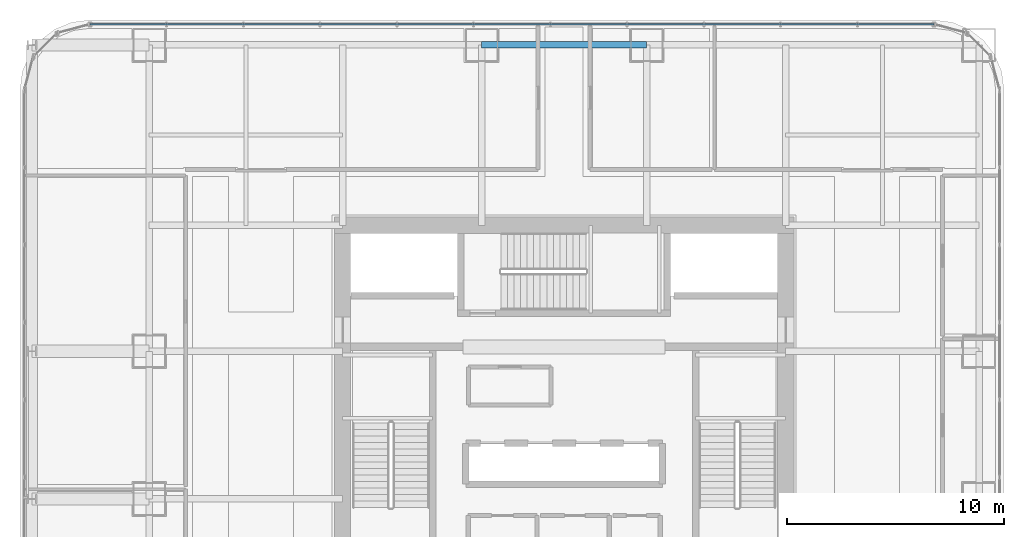
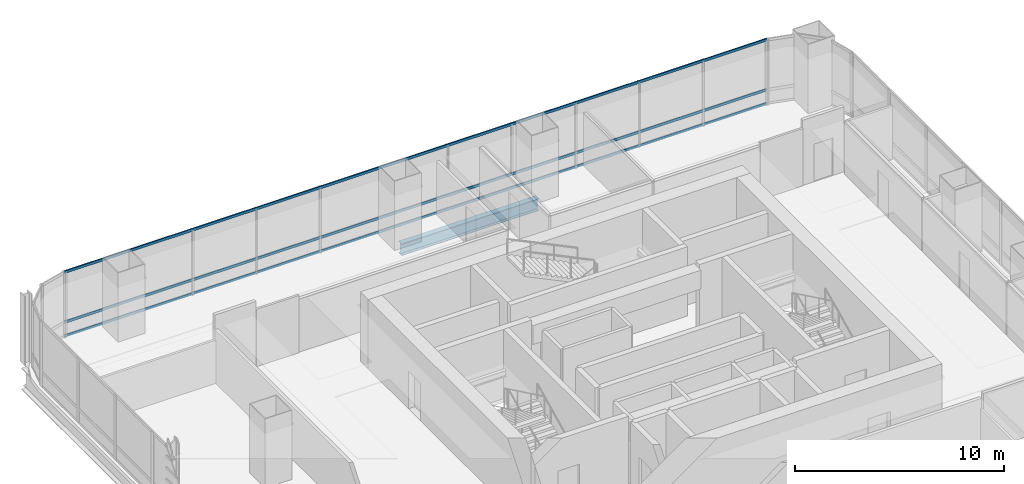
# One storey, part 22 of 36: 3 members, 1 beam, 1 element without a shape of its own.
"""IFC4 building model written with IfcOpenShell, lengths in metres."""

from ifc_helpers import new_model, si_unit, direction, frame, origin, origin_2d, place, context, subcontext, project, spatial, hollow_rectangle, i_section, extrude, material, material_profile, profile_set, type_object, element, aggregate, save


model = new_model("IFC4")

# Units and contexts
model_context = context("Model", 3, precision=1e-05, world=origin(), true_north=direction((0.0, 1.0)))
body_context = subcontext(model_context, "Body", "Model", "MODEL_VIEW")
ifc_project = project(units=[si_unit("LENGTHUNIT", "METRE"), si_unit("AREAUNIT", "SQUARE_METRE"), si_unit("VOLUMEUNIT", "CUBIC_METRE"), si_unit("PLANEANGLEUNIT", "RADIAN"), si_unit("MASSUNIT", "GRAM", prefix="KILO")], contexts=[model_context])

# Site, building, storey
site_placement = place(None, origin())
site = spatial("IfcSite", under=ifc_project, at=site_placement, CompositionType="ELEMENT")
building_placement = place(site_placement, origin())
building = spatial("IfcBuilding", under=site, at=building_placement, Name="Punatoya Terracotta Tower", CompositionType="ELEMENT")
storey_placement = place(building_placement, frame((0.0, 0.0, 36.300048828125)))
storey = spatial("IfcBuildingStorey", under=building, at=storey_placement, Name="L07", CompositionType="ELEMENT", Elevation=36.300048828125)

# Beam
ifc_material_1 = material(Name="Steel S355", Category="steel")
ifc_material_profile_1 = material_profile(ifc_material_1, i_section(OverallWidth=0.300048828125, OverallDepth=0.699951171875, WebThickness=0.01708984375, FlangeThickness=0.031982421875, FilletRadius=0.01806640625, at=origin_2d()))
ifc_profile_set_1 = profile_set([ifc_material_profile_1], Name="Steel S355")
beam_type = type_object("IfcBeamType", Name="BM-PRI-700", PredefinedType="BEAM", material=ifc_profile_set_1)
beam_placement = place(storey_placement, frame((-3.800048828125, 17.5, -0.590087890625), z_axis=(1.0, 0.0, 0.0), x_axis=(0.0, 1.0, 0.0)))
element("IfcBeam", 1, at=beam_placement, inside=storey, type_object=beam_type, Name="BM-L07-RG-N2", PredefinedType="BEAM", context=body_context, shape_type="SweptSolid", body=[
    extrude(i_section(OverallWidth=0.300048828125, OverallDepth=0.699951171875, WebThickness=0.01708984375, FlangeThickness=0.031982421875, FilletRadius=0.01806640625, at=origin_2d()), origin(), (0.0, 0.0, 1.0), 7.60009765625),
])

# Curtain wall, members
ifc_material_2 = material(Name="Aluminium 6063-T6 + Double Low-E Glass", Category="aluminium")
curtain_wall_type = type_object("IfcCurtainWallType", Name="CW-M1", PredefinedType="NOTDEFINED", material=ifc_material_2)
curtain_wall_placement = place(storey_placement, origin())
curtain_wall = element("IfcCurtainWall", 2, at=curtain_wall_placement, inside=storey, type_object=curtain_wall_type, Name="L07 Curtain Wall CW-L07-N09-1", PredefinedType="NOTDEFINED")
ifc_material_3 = material(Name="Aluminium 6063-T6", Category="aluminium")
ifc_material_profile_2 = material_profile(ifc_material_3, hollow_rectangle(XDim=0.068115234375, YDim=0.14990234375, WallThickness=0.00390625, at=origin_2d()))
ifc_profile_set_2 = profile_set([ifc_material_profile_2], Name="Aluminium 6063-T6")
member_type = type_object("IfcMemberType", Name="CW-TRN-TYP", PredefinedType="USERDEFINED", material=ifc_profile_set_2)
member_1_placement = place(storey_placement, frame((17.036865234375, 18.449951171875, 0.0400390625), z_axis=(-1.0, 0.0, 0.0), x_axis=(0.0, -1.0, 0.0)))
member_1 = element("IfcMember", 3, at=member_1_placement, type_object=member_type, Name="CW-L07-N09-1 Transom 1", ObjectType="TRANSOM", PredefinedType="USERDEFINED", context=body_context, shape_type="SweptSolid", body=[
    extrude(hollow_rectangle(XDim=0.068115234375, YDim=0.14990234375, WallThickness=0.00390625, at=origin_2d()), origin(), (0.0, 0.0, 1.0), 38.873779296875),
])
member_2_placement = place(storey_placement, frame((17.036865234375, 18.449951171875, 0.849853515625), z_axis=(-1.0, 0.0, 0.0), x_axis=(0.0, -1.0, 0.0)))
member_2 = element("IfcMember", 4, at=member_2_placement, type_object=member_type, Name="CW-L07-N09-1 Transom 2", ObjectType="TRANSOM", PredefinedType="USERDEFINED", context=body_context, shape_type="SweptSolid", body=[
    extrude(hollow_rectangle(XDim=0.068115234375, YDim=0.14990234375, WallThickness=0.00390625, at=origin_2d()), origin(), (0.0, 0.0, 1.0), 38.873779296875),
])
member_3_placement = place(storey_placement, frame((17.036865234375, 18.449951171875, 3.77001953125), z_axis=(-1.0, 0.0, 0.0), x_axis=(0.0, -1.0, 0.0)))
member_3 = element("IfcMember", 5, at=member_3_placement, type_object=member_type, Name="CW-L07-N09-1 Transom 3", ObjectType="TRANSOM", PredefinedType="USERDEFINED", context=body_context, shape_type="SweptSolid", body=[
    extrude(hollow_rectangle(XDim=0.068115234375, YDim=0.14990234375, WallThickness=0.00390625, at=origin_2d()), origin(), (0.0, 0.0, 1.0), 38.873779296875),
])
aggregate(curtain_wall, [member_1, member_2, member_3])

save(model, "model.ifc")
